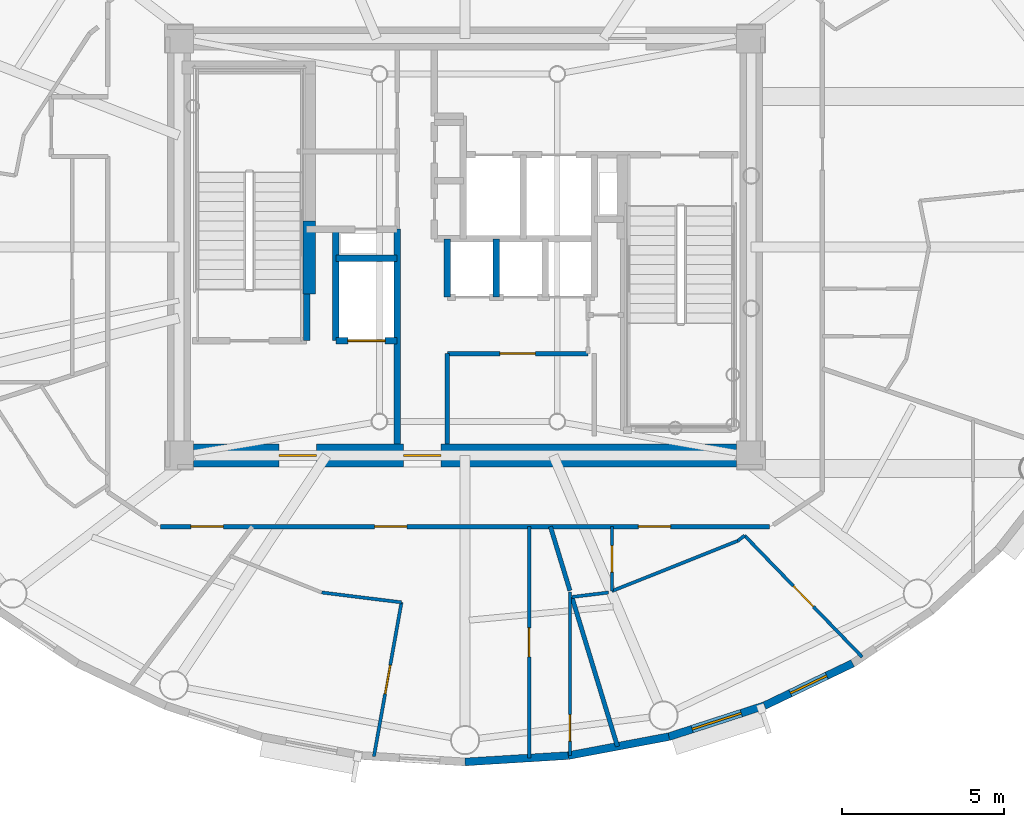
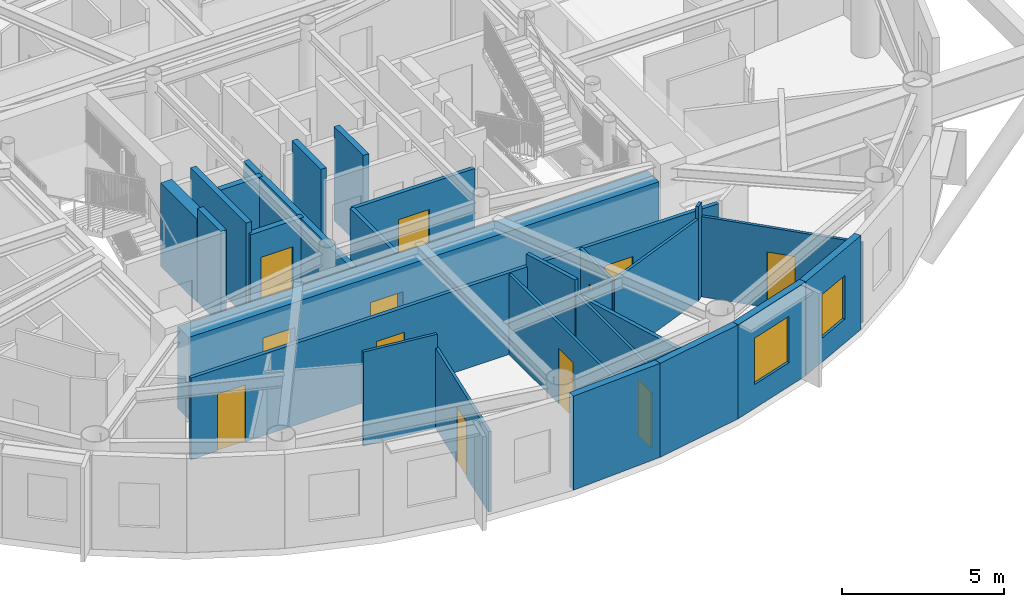
# One storey, part 6 of 17: 27 walls, 12 doors, 2 windows, 14 openings.
"""IFC4 building model written with IfcOpenShell, lengths in metres."""

from ifc_helpers import new_model, si_unit, direction, frame, frame_2d, origin, origin_2d, place, context, subcontext, project, spatial, rectangle, extrude, source, transform, mapped, material, layer, layer_set, type_object, element, fill, save


model = new_model("IFC4")

# Units and contexts
model_context = context("Model", 3, precision=1e-05, world=origin(), true_north=direction((0.0, 1.0)))
body_context = subcontext(model_context, "Body", "Model", "MODEL_VIEW")
ifc_project = project(units=[si_unit("LENGTHUNIT", "METRE"), si_unit("AREAUNIT", "SQUARE_METRE"), si_unit("VOLUMEUNIT", "CUBIC_METRE"), si_unit("PLANEANGLEUNIT", "RADIAN"), si_unit("MASSUNIT", "GRAM", prefix="KILO")], contexts=[model_context])

# Site, building, storey
site_placement = place(None, origin())
site = spatial("IfcSite", under=ifc_project, at=site_placement, CompositionType="ELEMENT")
building_placement = place(site_placement, origin())
building = spatial("IfcBuilding", under=site, at=building_placement, Name="Linh Dai School and Residence Tower", CompositionType="ELEMENT")
storey_placement = place(building_placement, frame((0.0, 0.0, 335.39990234375)))
storey = spatial("IfcBuildingStorey", under=building, at=storey_placement, Name="L83", CompositionType="ELEMENT", Elevation=335.39990234375)

# Walls
ifc_material_1 = material(Name="Precast Concrete B45 (C35/45)", Category="concrete")
ifc_layer_1 = layer(ifc_material_1, 0.239990234375)
ifc_layer_set_1 = layer_set([ifc_layer_1], Name="Precast Concrete B45 (C35/45)")
wall_type_1 = type_object("IfcWallType", Name="EW-TC-240", PredefinedType="SOLIDWALL", material=ifc_layer_set_1)
wall_1_placement = place(storey_placement, frame((39.19140625, 11.2666015625, 0.0), z_axis=(0.0, 0.0, 1.0), x_axis=(-0.998109204399, -0.061465568355, 0.0)))
element("IfcWall", 1, at=wall_1_placement, inside=storey, type_object=wall_type_1, Name="L83 Terracotta Exterior Wall 31", PredefinedType="SOLIDWALL", context=body_context, shape_type="SweptSolid", body=[
    extrude(rectangle(XDim=3.197509765625, YDim=0.239990234375, at=frame_2d((1.5986328125, 0.0))), origin(), (0.0, 0.0, 1.0), 3.550048828125),
])
wall_2_placement = place(storey_placement, frame((42.303955078125, 11.85205078125, 0.0), z_axis=(0.0, 0.0, 1.0), x_axis=(-0.98276643264, -0.184851667226, 0.0)))
element("IfcWall", 2, at=wall_2_placement, inside=storey, type_object=wall_type_1, Name="L83 Terracotta Exterior Wall 32", PredefinedType="SOLIDWALL", context=body_context, shape_type="SweptSolid", body=[
    extrude(rectangle(XDim=3.167236328125, YDim=0.239990234375, at=frame_2d((1.58349609375, 0.0))), origin(), (0.0, 0.0, 1.0), 3.550048828125),
])

# Wall, opening, window
wall_3_placement = place(storey_placement, frame((45.260498046875, 12.81103515625, 0.0), z_axis=(0.0, 0.0, 1.0), x_axis=(-0.951212850731, -0.308535431682, 0.0)))
wall_3 = element("IfcWall", 3, at=wall_3_placement, inside=storey, type_object=wall_type_1, Name="L83 Terracotta Exterior Wall 33", PredefinedType="SOLIDWALL", context=body_context, shape_type="SweptSolid", body=[
    extrude(rectangle(XDim=3.108154296875, YDim=0.239990234375, at=frame_2d((1.55419921875, 0.0))), origin(), (0.0, 0.0, 1.0), 3.550048828125),
])
opening_1_placement = place(wall_3_placement, frame((0.754150390625, 0.0, 0.89990234375)))
opening_1 = element("IfcOpeningElement", 4, at=opening_1_placement, cuts=wall_3, Name="Opening W2", PredefinedType="OPENING", context=body_context, shape_type="SweptSolid", body=[
    extrude(rectangle(XDim=1.60009765625, YDim=1.75, at=origin_2d()), frame((0.800048828125, 0.1298828125, 0.875), z_axis=(0.0, -1.0, 0.0), x_axis=(1.0, 0.0, 0.0)), (0.0, 0.0, 1.0), 0.260009765625),
])
ifc_material_2 = material(Name="Double Low-E Insulated Glazing", Category="glass")
window_type_1 = type_object("IfcWindowType", Name="WN-RES-1600x1750", PartitioningType="DOUBLE_PANEL_VERTICAL", PredefinedType="WINDOW", material=ifc_material_2)
shared_shape_1 = source(origin(), body_context, "Body", "SweptSolid", [
    extrude(rectangle(XDim=1.60009765625, YDim=1.75, at=origin_2d()), frame((0.800048828125, 0.030029296875, 0.875), z_axis=(0.0, -1.0, 0.0), x_axis=(1.0, 0.0, 0.0)), (0.0, 0.0, 1.0), 0.06005859375),
])
window_1_placement = place(opening_1_placement, origin())
window_1 = element("IfcWindow", 5, at=window_1_placement, inside=storey, type_object=window_type_1, Name="L83 Exterior Window 33.1", OverallHeight=1.75, OverallWidth=1.60009765625, PartitioningType="DOUBLE_PANEL_VERTICAL", PredefinedType="WINDOW", context=body_context, shape_type="MappedRepresentation", body=[
    mapped(shared_shape_1, transform((0.0, 0.0, 0.0), x_axis=(1.0, 0.0, 0.0), y_axis=(0.0, 1.0, 0.0), z_axis=(0.0, 0.0, 1.0), scale=1.0)),
])
fill(opening_1, window_1)

wall_4_placement = place(storey_placement, frame((47.98779296875, 14.119873046875, 0.0), z_axis=(0.0, 0.0, 1.0), x_axis=(-0.901557057889, -0.432660226241, 0.0)))
wall_4 = element("IfcWall", 6, at=wall_4_placement, inside=storey, type_object=wall_type_1, Name="L83 Terracotta Exterior Wall 34", PredefinedType="SOLIDWALL", context=body_context, shape_type="SweptSolid", body=[
    extrude(rectangle(XDim=3.025146484375, YDim=0.239990234375, at=frame_2d((1.5126953125, 0.0))), origin(), (0.0, 0.0, 1.0), 3.550048828125),
])
opening_2_placement = place(wall_4_placement, frame((0.8876953125, 0.0, 0.89990234375)))
opening_2 = element("IfcOpeningElement", 7, at=opening_2_placement, cuts=wall_4, Name="Opening W3", PredefinedType="OPENING", context=body_context, shape_type="SweptSolid", body=[
    extrude(rectangle(XDim=1.25, YDim=1.64990234375, at=origin_2d()), frame((0.625, 0.1298828125, 0.824951171875), z_axis=(0.0, -1.0, 0.0), x_axis=(1.0, 0.0, 0.0)), (0.0, 0.0, 1.0), 0.260009765625),
])
window_type_2 = type_object("IfcWindowType", Name="WN-RES-1250x1650", PartitioningType="SINGLE_PANEL", PredefinedType="WINDOW", material=ifc_material_2)
shared_shape_2 = source(origin(), body_context, "Body", "SweptSolid", [
    extrude(rectangle(XDim=1.25, YDim=1.64990234375, at=origin_2d()), frame((0.625, 0.030029296875, 0.824951171875), z_axis=(0.0, -1.0, 0.0), x_axis=(1.0, 0.0, 0.0)), (0.0, 0.0, 1.0), 0.06005859375),
])
window_2_placement = place(opening_2_placement, origin())
window_2 = element("IfcWindow", 8, at=window_2_placement, inside=storey, type_object=window_type_2, Name="L83 Exterior Window 34.1", OverallHeight=1.64990234375, OverallWidth=1.25, PartitioningType="SINGLE_PANEL", PredefinedType="WINDOW", context=body_context, shape_type="MappedRepresentation", body=[
    mapped(shared_shape_2, transform((0.0, 0.0, 0.0), x_axis=(1.0, 0.0, 0.0), y_axis=(0.0, 1.0, 0.0), z_axis=(0.0, 0.0, 1.0), scale=1.0)),
])
fill(opening_2, window_2)

# Wall, openings, doors
ifc_material_3 = material(Name="Autoclaved Aerated Concrete Blockwork", Category="masonry")
ifc_layer_2 = layer(ifc_material_3, 0.135009765625)
ifc_layer_set_2 = layer_set([ifc_layer_2], Name="Autoclaved Aerated Concrete Blockwork")
wall_type_2 = type_object("IfcWallType", Name="IW-CORR-135-EI90", PredefinedType="PARTITIONING", material=ifc_layer_set_2)
wall_5_placement = place(storey_placement, frame((26.580078125, 18.35009765625, 0.0), z_axis=(0.0, 0.0, 1.0), x_axis=(1.0, 0.0, 0.0)))
wall_5 = element("IfcWall", 9, at=wall_5_placement, inside=storey, type_object=wall_type_2, Name="L83 Interior Partition Wall 021", PredefinedType="PARTITIONING", context=body_context, shape_type="SweptSolid", body=[
    extrude(rectangle(XDim=18.83984375, YDim=0.135009765625, at=frame_2d((9.419921875, 0.0))), origin(), (0.0, 0.0, 1.0), 3.085205078125),
])
opening_3_placement = place(wall_5_placement, frame((0.93994140625, 0.0, 0.0)))
opening_3 = element("IfcOpeningElement", 10, at=opening_3_placement, cuts=wall_5, Name="Opening D03", PredefinedType="OPENING", context=body_context, shape_type="SweptSolid", body=[
    extrude(rectangle(XDim=1.0, YDim=2.14990234375, at=origin_2d()), frame((0.5, 0.07763671875, 1.074951171875), z_axis=(0.0, -1.0, 0.0), x_axis=(1.0, 0.0, 0.0)), (0.0, 0.0, 1.0), 0.155029296875),
])
opening_4_placement = place(wall_5_placement, frame((6.62060546875, 0.0, 0.0)))
opening_4 = element("IfcOpeningElement", 11, at=opening_4_placement, cuts=wall_5, Name="Opening D03", PredefinedType="OPENING", context=body_context, shape_type="SweptSolid", body=[
    extrude(rectangle(XDim=1.0, YDim=2.14990234375, at=origin_2d()), frame((0.5, 0.07763671875, 1.074951171875), z_axis=(0.0, -1.0, 0.0), x_axis=(1.0, 0.0, 0.0)), (0.0, 0.0, 1.0), 0.155029296875),
])
opening_5_placement = place(wall_5_placement, frame((14.7783203125, 0.0, 0.0)))
opening_5 = element("IfcOpeningElement", 12, at=opening_5_placement, cuts=wall_5, Name="Opening D03", PredefinedType="OPENING", context=body_context, shape_type="SweptSolid", body=[
    extrude(rectangle(XDim=1.0, YDim=2.14990234375, at=origin_2d()), frame((0.5, 0.07763671875, 1.074951171875), z_axis=(0.0, -1.0, 0.0), x_axis=(1.0, 0.0, 0.0)), (0.0, 0.0, 1.0), 0.155029296875),
])
ifc_material_4 = material(Name="Fire-Rated Solid Timber Entrance Door", Category="wood")
door_type_1 = type_object("IfcDoorType", Name="DR-FLAT-1000x2150-FD60S", OperationType="NOTDEFINED", PredefinedType="DOOR", material=ifc_material_4)
shared_shape_3 = source(origin(), body_context, "Body", "SweptSolid", [
    extrude(rectangle(XDim=1.0, YDim=2.14990234375, at=origin_2d()), frame((0.5, 0.02490234375, 1.074951171875), z_axis=(0.0, -1.0, 0.0), x_axis=(1.0, 0.0, 0.0)), (0.0, 0.0, 1.0), 0.050048828125),
])
door_1_placement = place(opening_3_placement, origin())
door_1 = element("IfcDoor", 13, at=door_1_placement, inside=storey, type_object=door_type_1, Name="L83 U8304 Apartment Entrance Door", OperationType="SINGLE_SWING_LEFT", OverallHeight=2.14990234375, OverallWidth=1.0, PredefinedType="DOOR", context=body_context, shape_type="MappedRepresentation", body=[
    mapped(shared_shape_3, transform((0.0, 0.0, 0.0), x_axis=(1.0, 0.0, 0.0), y_axis=(0.0, 1.0, 0.0), z_axis=(0.0, 0.0, 1.0), scale=1.0)),
])
fill(opening_3, door_1)
door_2_placement = place(opening_4_placement, origin())
door_2 = element("IfcDoor", 14, at=door_2_placement, inside=storey, type_object=door_type_1, Name="L83 U8305 Apartment Entrance Door", OperationType="SINGLE_SWING_RIGHT", OverallHeight=2.14990234375, OverallWidth=1.0, PredefinedType="DOOR", context=body_context, shape_type="MappedRepresentation", body=[
    mapped(shared_shape_3, transform((0.0, 0.0, 0.0), x_axis=(1.0, 0.0, 0.0), y_axis=(0.0, 1.0, 0.0), z_axis=(0.0, 0.0, 1.0), scale=1.0)),
])
fill(opening_4, door_2)
door_3_placement = place(opening_5_placement, origin())
door_3 = element("IfcDoor", 15, at=door_3_placement, inside=storey, type_object=door_type_1, Name="L83 U8306 Apartment Entrance Door", OperationType="SINGLE_SWING_RIGHT", OverallHeight=2.14990234375, OverallWidth=1.0, PredefinedType="DOOR", context=body_context, shape_type="MappedRepresentation", body=[
    mapped(shared_shape_3, transform((0.0, 0.0, 0.0), x_axis=(1.0, 0.0, 0.0), y_axis=(0.0, 1.0, 0.0), z_axis=(0.0, 0.0, 1.0), scale=1.0)),
])
fill(opening_5, door_3)

# Wall
wall_6_placement = place(storey_placement, frame((35.449951171875, 20.89990234375, 0.0), z_axis=(0.0, 0.0, 1.0), x_axis=(0.0, 1.0, 0.0)))
element("IfcWall", 16, at=wall_6_placement, inside=storey, type_object=wall_type_2, Name="L83 Interior Partition Wall 048", PredefinedType="PARTITIONING", context=body_context, shape_type="SweptSolid", body=[
    extrude(rectangle(XDim=2.800048828125, YDim=0.135009765625, at=frame_2d((1.39990234375, 0.0))), origin(), (0.0, 0.0, 1.0), 3.135009765625),
])

# Wall, opening, door
wall_7_placement = place(storey_placement, frame((35.449951171875, 23.699951171875, 0.0), z_axis=(0.0, 0.0, 1.0), x_axis=(1.0, 0.0, 0.0)))
wall_7 = element("IfcWall", 17, at=wall_7_placement, inside=storey, type_object=wall_type_2, Name="L83 Interior Partition Wall 049", PredefinedType="PARTITIONING", context=body_context, shape_type="SweptSolid", body=[
    extrude(rectangle(XDim=4.35009765625, YDim=0.135009765625, at=frame_2d((2.175048828125, 0.0))), origin(), (0.0, 0.0, 1.0), 3.135009765625),
])
opening_6_placement = place(wall_7_placement, frame((1.625, 0.0, 0.0)))
opening_6 = element("IfcOpeningElement", 18, at=opening_6_placement, cuts=wall_7, Name="Opening D07", PredefinedType="OPENING", context=body_context, shape_type="SweptSolid", body=[
    extrude(rectangle(XDim=1.10009765625, YDim=2.14990234375, at=origin_2d()), frame((0.550048828125, 0.07763671875, 1.074951171875), z_axis=(0.0, -1.0, 0.0), x_axis=(1.0, 0.0, 0.0)), (0.0, 0.0, 1.0), 0.155029296875),
])
ifc_material_5 = material(Name="Fire-Rated Louvred Steel Plant Door", Category="steel")
door_type_2 = type_object("IfcDoorType", Name="DR-PLT-1100x2150-FD60S", OperationType="NOTDEFINED", PredefinedType="DOOR", material=ifc_material_5)
shared_shape_4 = source(origin(), body_context, "Body", "SweptSolid", [
    extrude(rectangle(XDim=1.10009765625, YDim=2.14990234375, at=origin_2d()), frame((0.550048828125, 0.02490234375, 1.074951171875), z_axis=(0.0, -1.0, 0.0), x_axis=(1.0, 0.0, 0.0)), (0.0, 0.0, 1.0), 0.050048828125),
])
door_4_placement = place(opening_6_placement, origin())
door_4 = element("IfcDoor", 19, at=door_4_placement, inside=storey, type_object=door_type_2, Name="L83 Tenant Metering and BMS Room Door", OperationType="SINGLE_SWING_LEFT", OverallHeight=2.14990234375, OverallWidth=1.10009765625, PredefinedType="DOOR", context=body_context, shape_type="MappedRepresentation", body=[
    mapped(shared_shape_4, transform((0.0, 0.0, 0.0), x_axis=(1.0, 0.0, 0.0), y_axis=(0.0, 1.0, 0.0), z_axis=(0.0, 0.0, 1.0), scale=1.0)),
])
fill(opening_6, door_4)

# Walls
wall_8_placement = place(storey_placement, frame((38.63916015625, 18.35009765625, 0.0), z_axis=(0.0, 0.0, 1.0), x_axis=(0.291729785941, -0.956500774696, 0.0)))
element("IfcWall", 20, at=wall_8_placement, inside=storey, type_object=wall_type_2, Name="L83 Interior Partition Wall 062", PredefinedType="PARTITIONING", context=body_context, shape_type="SweptSolid", body=[
    extrude(rectangle(XDim=2.06884765625, YDim=0.135009765625, at=frame_2d((1.034423828125, 0.0))), origin(), (0.0, 0.0, 1.0), 3.550048828125),
])
wall_9_placement = place(storey_placement, frame((39.3037109375, 16.17138671875, 0.0), z_axis=(0.0, 0.0, 1.0), x_axis=(0.291820739467, -0.956473029425, 0.0)))
element("IfcWall", 21, at=wall_9_placement, inside=storey, type_object=wall_type_2, Name="L83 Interior Partition Wall 066", PredefinedType="PARTITIONING", context=body_context, shape_type="SweptSolid", body=[
    extrude(rectangle(XDim=4.833984375, YDim=0.135009765625, at=frame_2d((2.4169921875, 0.0))), origin(), (0.0, 0.0, 1.0), 3.03515625),
])
ifc_material_6 = material(Name="Concrete B45 (C35/45)", Category="concrete")
ifc_layer_3 = layer(ifc_material_6, 0.199951171875)
ifc_layer_set_3 = layer_set([ifc_layer_3], Name="Concrete B45 (C35/45)")
wall_type_3 = type_object("IfcWallType", Name="IW-SHAFT-200-EI120", PredefinedType="PARTITIONING", material=ifc_layer_set_3)
wall_10_placement = place(storey_placement, frame((31.10009765625, 24.10009765625, 0.0), z_axis=(0.0, 0.0, 1.0), x_axis=(0.0, 1.0, 0.0)))
element("IfcWall", 22, at=wall_10_placement, inside=storey, type_object=wall_type_3, Name="L83 Interior Partition Wall 028", PredefinedType="PARTITIONING", context=body_context, shape_type="SweptSolid", body=[
    extrude(rectangle(XDim=1.43994140625, YDim=0.199951171875, at=frame_2d((0.719970703125, 0.0))), origin(), (0.0, 0.0, 1.0), 3.550048828125),
])
wall_11_placement = place(storey_placement, frame((32.0, 24.10009765625, 0.0), z_axis=(0.0, 0.0, 1.0), x_axis=(0.0, 1.0, 0.0)))
element("IfcWall", 23, at=wall_11_placement, inside=storey, type_object=wall_type_3, Name="L83 Interior Partition Wall 033", PredefinedType="PARTITIONING", context=body_context, shape_type="SweptSolid", body=[
    extrude(rectangle(XDim=3.449951171875, YDim=0.199951171875, at=frame_2d((1.72509765625, 0.0))), origin(), (0.0, 0.0, 1.0), 3.550048828125),
])

# Wall, opening, door
wall_12_placement = place(storey_placement, frame((32.0, 24.10009765625, 0.0), z_axis=(0.0, 0.0, 1.0), x_axis=(1.0, 0.0, 0.0)))
wall_12 = element("IfcWall", 24, at=wall_12_placement, inside=storey, type_object=wall_type_3, Name="L83 Interior Partition Wall 034", PredefinedType="PARTITIONING", context=body_context, shape_type="SweptSolid", body=[
    extrude(rectangle(XDim=1.89990234375, YDim=0.199951171875, at=frame_2d((0.949951171875, 0.0))), origin(), (0.0, 0.0, 1.0), 3.135009765625),
])
opening_7_placement = place(wall_12_placement, frame((0.375, 0.0, 0.0)))
opening_7 = element("IfcOpeningElement", 25, at=opening_7_placement, cuts=wall_12, Name="Opening LD-FF2", PredefinedType="OPENING", context=body_context, shape_type="SweptSolid", body=[
    extrude(rectangle(XDim=1.14990234375, YDim=2.14990234375, at=origin_2d()), frame((0.574951171875, 0.10986328125, 1.074951171875), z_axis=(0.0, -1.0, 0.0), x_axis=(1.0, 0.0, 0.0)), (0.0, 0.0, 1.0), 0.219970703125),
])
ifc_material_7 = material(Name="Fire-Rated Stainless Steel Firefighting Lift Door", Category="steel")
door_type_3 = type_object("IfcDoorType", Name="DR-LD-FF-1150x2150-FD120", OperationType="DOUBLE_DOOR_SLIDING", PredefinedType="USERDEFINED", material=ifc_material_7)
shared_shape_5 = source(origin(), body_context, "Body", "SweptSolid", [
    extrude(rectangle(XDim=1.14990234375, YDim=2.14990234375, at=origin_2d()), frame((0.574951171875, 0.02490234375, 1.074951171875), z_axis=(0.0, -1.0, 0.0), x_axis=(1.0, 0.0, 0.0)), (0.0, 0.0, 1.0), 0.050048828125),
])
door_5_placement = place(opening_7_placement, origin())
door_5 = element("IfcDoor", 26, at=door_5_placement, inside=storey, type_object=door_type_3, Name="L83 Lift FF2 Sliding Landing Door", ObjectType="LANDING DOOR", OperationType="DOUBLE_DOOR_SLIDING", OverallHeight=2.14990234375, OverallWidth=1.14990234375, PredefinedType="USERDEFINED", context=body_context, shape_type="MappedRepresentation", body=[
    mapped(shared_shape_5, transform((0.0, 0.0, 0.0), x_axis=(1.0, 0.0, 0.0), y_axis=(0.0, 1.0, 0.0), z_axis=(0.0, 0.0, 1.0), scale=1.0)),
])
fill(opening_7, door_5)

# Walls
wall_13_placement = place(storey_placement, frame((32.0, 26.64990234375, 0.0), z_axis=(0.0, 0.0, 1.0), x_axis=(1.0, 0.0, 0.0)))
element("IfcWall", 27, at=wall_13_placement, inside=storey, type_object=wall_type_3, Name="L83 Interior Partition Wall 035", PredefinedType="PARTITIONING", context=body_context, shape_type="SweptSolid", body=[
    extrude(rectangle(XDim=1.89990234375, YDim=0.199951171875, at=frame_2d((0.949951171875, 0.0))), origin(), (0.0, 0.0, 1.0), 3.135009765625),
])
wall_14_placement = place(storey_placement, frame((33.89990234375, 20.89990234375, 0.0), z_axis=(0.0, 0.0, 1.0), x_axis=(0.0, 1.0, 0.0)))
element("IfcWall", 28, at=wall_14_placement, inside=storey, type_object=wall_type_3, Name="L83 Interior Partition Wall 038", PredefinedType="PARTITIONING", context=body_context, shape_type="SweptSolid", body=[
    extrude(rectangle(XDim=6.650146484375, YDim=0.199951171875, at=frame_2d((3.3251953125, 0.0))), origin(), (0.0, 0.0, 1.0), 3.135009765625),
])
for number, where, z_axis, x_axis, name in (
    (29, (35.449951171875, 25.449951171875, 0.0), (0.0, 0.0, 1.0), (0.0, 1.0, 0.0), "L83 Interior Partition Wall 050"),
    (30, (36.9599609375, 25.449951171875, 0.0), (0.0, 0.0, 1.0), (0.0, 1.0, 0.0), "L83 Interior Partition Wall 058"),
):
    element("IfcWall", number, at=place(storey_placement, frame(where, z_axis=z_axis, x_axis=x_axis)), inside=storey, type_object=wall_type_3, Name=name, PredefinedType="PARTITIONING", context=body_context, shape_type="SweptSolid", body=[
        extrude(rectangle(XDim=1.800048828125, YDim=0.199951171875, at=frame_2d((0.89990234375, 0.0))), origin(), (0.0, 0.0, 1.0), 3.550048828125),
    ])
ifc_material_8 = material(Name="Gypsum Plasterboard Acoustic Stud Partition", Category="masonry")
ifc_layer_4 = layer(ifc_material_8, 0.10009765625)
ifc_layer_set_4 = layer_set([ifc_layer_4], Name="Gypsum Plasterboard Acoustic Stud Partition")
wall_type_4 = type_object("IfcWallType", Name="IW-UNIT-100", PredefinedType="PARTITIONING", material=ifc_layer_set_4)
wall_15_placement = place(storey_placement, frame((31.565673828125, 16.3115234375, 0.0), z_axis=(0.0, 0.0, 1.0), x_axis=(0.992398289592, -0.123067602619, 0.0)))
element("IfcWall", 31, at=wall_15_placement, inside=storey, type_object=wall_type_4, Name="L83 Interior Partition Wall 030", PredefinedType="PARTITIONING", context=body_context, shape_type="SweptSolid", body=[
    extrude(rectangle(XDim=2.485595703125, YDim=0.10009765625, at=frame_2d((1.24267578125, 0.0))), origin(), (0.0, 0.0, 1.0), 3.550048828125),
])

# Wall, opening, door
wall_16_placement = place(storey_placement, frame((33.179443359375, 11.23876953125, 0.0), z_axis=(0.0, 0.0, 1.0), x_axis=(0.176151823621, 0.984363009786, 0.0)))
wall_16 = element("IfcWall", 32, at=wall_16_placement, inside=storey, type_object=wall_type_4, Name="L83 Interior Partition Wall 036", PredefinedType="PARTITIONING", context=body_context, shape_type="SweptSolid", body=[
    extrude(rectangle(XDim=4.842529296875, YDim=0.10009765625, at=frame_2d((2.42138671875, 0.0))), origin(), (0.0, 0.0, 1.0), 3.03515625),
])
opening_8_placement = place(wall_16_placement, frame((1.97119140625, 0.0, 0.0)))
opening_8 = element("IfcOpeningElement", 33, at=opening_8_placement, cuts=wall_16, Name="Opening D05", PredefinedType="OPENING", context=body_context, shape_type="SweptSolid", body=[
    extrude(rectangle(XDim=0.89990234375, YDim=2.10009765625, at=origin_2d()), frame((0.449951171875, 0.06005859375, 1.050048828125), z_axis=(0.0, -1.0, 0.0), x_axis=(1.0, 0.0, 0.0)), (0.0, 0.0, 1.0), 0.1201171875),
])
ifc_material_9 = material(Name="Engineered Timber Internal Door", Category="wood")
door_type_4 = type_object("IfcDoorType", Name="DR-INT-900x2100", OperationType="NOTDEFINED", PredefinedType="DOOR", material=ifc_material_9)
shared_shape_6 = source(origin(), body_context, "Body", "SweptSolid", [
    extrude(rectangle(XDim=0.89990234375, YDim=2.10009765625, at=origin_2d()), frame((0.449951171875, 0.02490234375, 1.050048828125), z_axis=(0.0, -1.0, 0.0), x_axis=(1.0, 0.0, 0.0)), (0.0, 0.0, 1.0), 0.050048828125),
])
door_6_placement = place(opening_8_placement, origin())
door_6 = element("IfcDoor", 34, at=door_6_placement, inside=storey, type_object=door_type_4, Name="L83 Apartment U8305 Bedroom 1 Door", OperationType="SINGLE_SWING_LEFT", OverallHeight=2.10009765625, OverallWidth=0.89990234375, PredefinedType="DOOR", context=body_context, shape_type="MappedRepresentation", body=[
    mapped(shared_shape_6, transform((0.0, 0.0, 0.0), x_axis=(1.0, 0.0, 0.0), y_axis=(0.0, 1.0, 0.0), z_axis=(0.0, 0.0, 1.0), scale=1.0)),
])
fill(opening_8, door_6)

wall_17_placement = place(storey_placement, frame((37.981201171875, 11.18701171875, 0.0), z_axis=(0.0, 0.0, 1.0), x_axis=(0.0, 1.0, 0.0)))
wall_17 = element("IfcWall", 35, at=wall_17_placement, inside=storey, type_object=wall_type_4, Name="L83 Interior Partition Wall 060", PredefinedType="PARTITIONING", context=body_context, shape_type="SweptSolid", body=[
    extrude(rectangle(XDim=7.1630859375, YDim=0.10009765625, at=frame_2d((3.58154296875, 0.0))), origin(), (0.0, 0.0, 1.0), 3.03515625),
])
opening_9_placement = place(wall_17_placement, frame((3.13134765625, 0.0, 0.0)))
opening_9 = element("IfcOpeningElement", 36, at=opening_9_placement, cuts=wall_17, Name="Opening D05", PredefinedType="OPENING", context=body_context, shape_type="SweptSolid", body=[
    extrude(rectangle(XDim=0.89990234375, YDim=2.10009765625, at=origin_2d()), frame((0.449951171875, 0.06005859375, 1.050048828125), z_axis=(0.0, -1.0, 0.0), x_axis=(1.0, 0.0, 0.0)), (0.0, 0.0, 1.0), 0.1201171875),
])
door_7_placement = place(opening_9_placement, origin())
door_7 = element("IfcDoor", 37, at=door_7_placement, inside=storey, type_object=door_type_4, Name="L83 Apartment U8305 Kitchen Door", OperationType="SINGLE_SWING_RIGHT", OverallHeight=2.10009765625, OverallWidth=0.89990234375, PredefinedType="DOOR", context=body_context, shape_type="MappedRepresentation", body=[
    mapped(shared_shape_6, transform((0.0, 0.0, 0.0), x_axis=(1.0, 0.0, 0.0), y_axis=(0.0, 1.0, 0.0), z_axis=(0.0, 0.0, 1.0), scale=1.0)),
])
fill(opening_9, door_7)

wall_18_placement = place(storey_placement, frame((39.24267578125, 11.271240234375, 0.0), z_axis=(0.0, 0.0, 1.0), x_axis=(0.0, 1.0, 0.0)))
wall_18 = element("IfcWall", 38, at=wall_18_placement, inside=storey, type_object=wall_type_4, Name="L83 Interior Partition Wall 064", PredefinedType="PARTITIONING", context=body_context, shape_type="SweptSolid", body=[
    extrude(rectangle(XDim=5.05517578125, YDim=0.10009765625, at=frame_2d((2.527587890625, 0.0))), origin(), (0.0, 0.0, 1.0), 3.03515625),
])
opening_10_placement = place(wall_18_placement, frame((0.439697265625, 0.0, 0.0)))
opening_10 = element("IfcOpeningElement", 39, at=opening_10_placement, cuts=wall_18, Name="Opening D06", PredefinedType="OPENING", context=body_context, shape_type="SweptSolid", body=[
    extrude(rectangle(XDim=0.820068359375, YDim=2.10009765625, at=origin_2d()), frame((0.41015625, 0.06005859375, 1.050048828125), z_axis=(0.0, -1.0, 0.0), x_axis=(1.0, 0.0, 0.0)), (0.0, 0.0, 1.0), 0.1201171875),
])
ifc_material_10 = material(Name="Moisture-Resistant Timber Bathroom Door", Category="wood")
door_type_5 = type_object("IfcDoorType", Name="DR-WET-820x2100", OperationType="NOTDEFINED", PredefinedType="DOOR", material=ifc_material_10)
shared_shape_7 = source(origin(), body_context, "Body", "SweptSolid", [
    extrude(rectangle(XDim=0.820068359375, YDim=2.10009765625, at=origin_2d()), frame((0.41015625, 0.02490234375, 1.050048828125), z_axis=(0.0, -1.0, 0.0), x_axis=(1.0, 0.0, 0.0)), (0.0, 0.0, 1.0), 0.050048828125),
])
door_8_placement = place(opening_10_placement, origin())
door_8 = element("IfcDoor", 40, at=door_8_placement, inside=storey, type_object=door_type_5, Name="L83 Apartment U8305 Bathroom 1 Door", OperationType="SINGLE_SWING_LEFT", OverallHeight=2.10009765625, OverallWidth=0.820068359375, PredefinedType="DOOR", context=body_context, shape_type="MappedRepresentation", body=[
    mapped(shared_shape_7, transform((0.0, 0.0, 0.0), x_axis=(1.0, 0.0, 0.0), y_axis=(0.0, 1.0, 0.0), z_axis=(0.0, 0.0, 1.0), scale=1.0)),
])
fill(opening_10, door_8)

# Wall
wall_19_placement = place(storey_placement, frame((39.3037109375, 16.17138671875, 0.0), z_axis=(0.0, 0.0, 1.0), x_axis=(0.992405921313, 0.123006045959, 0.0)))
element("IfcWall", 41, at=wall_19_placement, inside=storey, type_object=wall_type_4, Name="L83 Interior Partition Wall 065", PredefinedType="PARTITIONING", context=body_context, shape_type="SweptSolid", body=[
    extrude(rectangle(XDim=1.13916015625, YDim=0.10009765625, at=frame_2d((0.569580078125, 0.0))), origin(), (0.0, 0.0, 1.0), 3.085205078125),
])

# Wall, opening, door
wall_20_placement = place(storey_placement, frame((40.54296875, 16.35498046875, 0.0), z_axis=(0.0, 0.0, 1.0), x_axis=(0.0, 1.0, 0.0)))
wall_20 = element("IfcWall", 42, at=wall_20_placement, inside=storey, type_object=wall_type_4, Name="L83 Interior Partition Wall 072", PredefinedType="PARTITIONING", context=body_context, shape_type="SweptSolid", body=[
    extrude(rectangle(XDim=1.9951171875, YDim=0.10009765625, at=frame_2d((0.99755859375, 0.0))), origin(), (0.0, 0.0, 1.0), 3.085205078125),
])
opening_11_placement = place(wall_20_placement, frame((0.587646484375, 0.0, 0.0)))
opening_11 = element("IfcOpeningElement", 43, at=opening_11_placement, cuts=wall_20, Name="Opening D06", PredefinedType="OPENING", context=body_context, shape_type="SweptSolid", body=[
    extrude(rectangle(XDim=0.820068359375, YDim=2.10009765625, at=origin_2d()), frame((0.41015625, 0.06005859375, 1.050048828125), z_axis=(0.0, -1.0, 0.0), x_axis=(1.0, 0.0, 0.0)), (0.0, 0.0, 1.0), 0.1201171875),
])
door_9_placement = place(opening_11_placement, origin())
door_9 = element("IfcDoor", 44, at=door_9_placement, inside=storey, type_object=door_type_5, Name="L83 Apartment U8306 Bathroom 1 Door", OperationType="SINGLE_SWING_RIGHT", OverallHeight=2.10009765625, OverallWidth=0.820068359375, PredefinedType="DOOR", context=body_context, shape_type="MappedRepresentation", body=[
    mapped(shared_shape_7, transform((0.0, 0.0, 0.0), x_axis=(1.0, 0.0, 0.0), y_axis=(0.0, 1.0, 0.0), z_axis=(0.0, 0.0, 1.0), scale=1.0)),
])
fill(opening_11, door_9)

# Walls
wall_21_placement = place(storey_placement, frame((40.54296875, 16.35498046875, 0.0), z_axis=(0.0, 0.0, 1.0), x_axis=(0.928785770399, 0.370617043191, 0.0)))
element("IfcWall", 45, at=wall_21_placement, inside=storey, type_object=wall_type_4, Name="L83 Interior Partition Wall 073", PredefinedType="PARTITIONING", context=body_context, shape_type="SweptSolid", body=[
    extrude(rectangle(XDim=4.190185546875, YDim=0.10009765625, at=frame_2d((2.09521484375, 0.0))), origin(), (0.0, 0.0, 1.0), 3.085205078125),
])
wall_22_placement = place(storey_placement, frame((44.434814453125, 17.907958984375, 0.0), z_axis=(0.0, 0.0, 1.0), x_axis=(0.787427799495, 0.616406895307, 0.0)))
element("IfcWall", 46, at=wall_22_placement, inside=storey, type_object=wall_type_4, Name="L83 Interior Partition Wall 077", PredefinedType="PARTITIONING", context=body_context, shape_type="SweptSolid", body=[
    extrude(rectangle(XDim=0.266845703125, YDim=0.10009765625, at=frame_2d((0.13330078125, 0.0))), origin(), (0.0, 0.0, 1.0), 3.550048828125),
])

# Wall, opening, door
wall_23_placement = place(storey_placement, frame((44.64501953125, 18.072509765625, 0.0), z_axis=(0.0, 0.0, 1.0), x_axis=(0.695656073062, -0.718374991221, 0.0)))
wall_23 = element("IfcWall", 47, at=wall_23_placement, inside=storey, type_object=wall_type_4, Name="L83 Interior Partition Wall 078", PredefinedType="PARTITIONING", context=body_context, shape_type="SweptSolid", body=[
    extrude(rectangle(XDim=5.2333984375, YDim=0.10009765625, at=frame_2d((2.61669921875, 0.0))), origin(), (0.0, 0.0, 1.0), 3.03515625),
])
opening_12_placement = place(wall_23_placement, frame((2.166748046875, 0.0, 0.0)))
opening_12 = element("IfcOpeningElement", 48, at=opening_12_placement, cuts=wall_23, Name="Opening D05", PredefinedType="OPENING", context=body_context, shape_type="SweptSolid", body=[
    extrude(rectangle(XDim=0.89990234375, YDim=2.10009765625, at=origin_2d()), frame((0.449951171875, 0.06005859375, 1.050048828125), z_axis=(0.0, -1.0, 0.0), x_axis=(1.0, 0.0, 0.0)), (0.0, 0.0, 1.0), 0.1201171875),
])
door_10_placement = place(opening_12_placement, origin())
door_10 = element("IfcDoor", 49, at=door_10_placement, inside=storey, type_object=door_type_4, Name="L83 Apartment U8306 Bedroom 1 Door", OperationType="SINGLE_SWING_LEFT", OverallHeight=2.10009765625, OverallWidth=0.89990234375, PredefinedType="DOOR", context=body_context, shape_type="MappedRepresentation", body=[
    mapped(shared_shape_6, transform((0.0, 0.0, 0.0), x_axis=(1.0, 0.0, 0.0), y_axis=(0.0, 1.0, 0.0), z_axis=(0.0, 0.0, 1.0), scale=1.0)),
])
fill(opening_12, door_10)

# Wall
ifc_layer_5 = layer(ifc_material_6, 0.39990234375)
ifc_layer_set_5 = layer_set([ifc_layer_5], Name="Concrete B45 (C35/45)")
wall_type_5 = type_object("IfcWallType", Name="WL-CORE400", PredefinedType="SHEAR", material=ifc_layer_set_5)
wall_24_placement = place(storey_placement, frame((31.179931640625, 25.550048828125, 0.0), z_axis=(0.0, 0.0, 1.0), x_axis=(0.0, 1.0, 0.0)))
element("IfcWall", 50, at=wall_24_placement, inside=storey, type_object=wall_type_5, Name="L83 Internal Core Shear Wall IW", PredefinedType="SHEAR", context=body_context, shape_type="SweptSolid", body=[
    extrude(rectangle(XDim=2.25, YDim=0.39990234375, at=frame_2d((1.125, 0.0))), origin(), (0.0, 0.0, 1.0), 3.150146484375),
])

# Wall, openings, doors
ifc_layer_6 = layer(ifc_material_6, 0.699951171875)
ifc_layer_set_6 = layer_set([ifc_layer_6], Name="Concrete B45 (C35/45)")
wall_type_6 = type_object("IfcWallType", Name="WL-CORE700", PredefinedType="SHEAR", material=ifc_layer_set_6)
wall_25_placement = place(storey_placement, frame((44.39990234375, 20.550048828125, 0.0), z_axis=(0.0, 0.0, 1.0), x_axis=(-1.0, 0.0, 0.0)))
wall_25 = element("IfcWall", 51, at=wall_25_placement, inside=storey, type_object=wall_type_6, Name="L83 Central Core Shear Wall S", PredefinedType="SHEAR", context=body_context, shape_type="SweptSolid", body=[
    extrude(rectangle(XDim=16.7998046875, YDim=0.699951171875, at=frame_2d((8.39990234375, 0.0))), origin(), (0.0, 0.0, 1.0), 3.10009765625),
])
opening_13_placement = place(wall_25_placement, frame((13.0, 0.0, 0.0)))
opening_13 = element("IfcOpeningElement", 52, at=opening_13_placement, cuts=wall_25, Name="Opening D02", PredefinedType="OPENING", context=body_context, shape_type="SweptSolid", body=[
    extrude(rectangle(XDim=1.14990234375, YDim=2.14990234375, at=origin_2d()), frame((0.574951171875, 0.35986328125, 1.074951171875), z_axis=(0.0, -1.0, 0.0), x_axis=(1.0, 0.0, 0.0)), (0.0, 0.0, 1.0), 0.719970703125),
])
opening_14_placement = place(wall_25_placement, frame((9.14990234375, 0.0, 0.0)))
opening_14 = element("IfcOpeningElement", 53, at=opening_14_placement, cuts=wall_25, Name="Opening D02", PredefinedType="OPENING", context=body_context, shape_type="SweptSolid", body=[
    extrude(rectangle(XDim=1.14990234375, YDim=2.14990234375, at=origin_2d()), frame((0.574951171875, 0.35986328125, 1.074951171875), z_axis=(0.0, -1.0, 0.0), x_axis=(1.0, 0.0, 0.0)), (0.0, 0.0, 1.0), 0.719970703125),
])
ifc_material_11 = material(Name="Fire-Rated Glazed Steel Lobby Door", Category="steel")
door_type_6 = type_object("IfcDoorType", Name="DR-LOBBY-1150x2150-FD90S", OperationType="NOTDEFINED", PredefinedType="DOOR", material=ifc_material_11)
shared_shape_8 = source(origin(), body_context, "Body", "SweptSolid", [
    extrude(rectangle(XDim=1.14990234375, YDim=2.14990234375, at=origin_2d()), frame((0.574951171875, 0.02490234375, 1.074951171875), z_axis=(0.0, -1.0, 0.0), x_axis=(1.0, 0.0, 0.0)), (0.0, 0.0, 1.0), 0.050048828125),
])
door_11_placement = place(opening_13_placement, origin())
door_11 = element("IfcDoor", 54, at=door_11_placement, inside=storey, type_object=door_type_6, Name="L83 Firefighting Lobby Door", OperationType="SINGLE_SWING_LEFT", OverallHeight=2.14990234375, OverallWidth=1.14990234375, PredefinedType="DOOR", context=body_context, shape_type="MappedRepresentation", body=[
    mapped(shared_shape_8, transform((0.0, 0.0, 0.0), x_axis=(1.0, 0.0, 0.0), y_axis=(0.0, 1.0, 0.0), z_axis=(0.0, 0.0, 1.0), scale=1.0)),
])
fill(opening_13, door_11)
door_12_placement = place(opening_14_placement, origin())
door_12 = element("IfcDoor", 55, at=door_12_placement, inside=storey, type_object=door_type_6, Name="L83 Passenger Foyer Access Door", OperationType="SINGLE_SWING_LEFT", OverallHeight=2.14990234375, OverallWidth=1.14990234375, PredefinedType="DOOR", context=body_context, shape_type="MappedRepresentation", body=[
    mapped(shared_shape_8, transform((0.0, 0.0, 0.0), x_axis=(1.0, 0.0, 0.0), y_axis=(0.0, 1.0, 0.0), z_axis=(0.0, 0.0, 1.0), scale=1.0)),
])
fill(opening_14, door_12)

save(model, "model.ifc")
